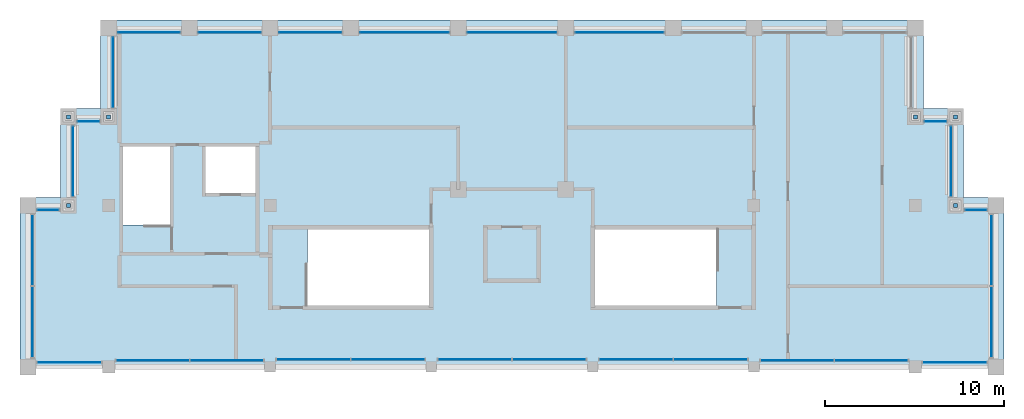
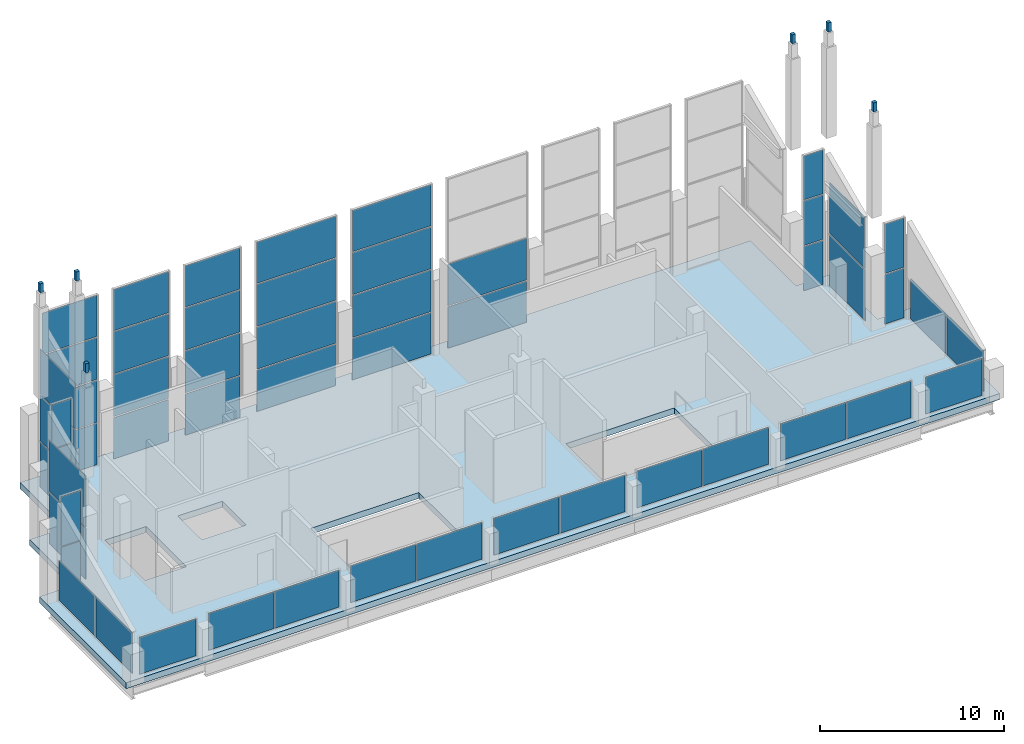
# One storey, part 6 of 9: 55 plates, 6 members, 1 slab, 22 elements without a shape of their own.
"""IFC4 building model written with IfcOpenShell, lengths in metres."""

from ifc_helpers import new_model, si_unit, direction, frame, origin, origin_2d, place, context, subcontext, project, spatial, polyline, rectangle, outline, extrude, material, layer, layer_set, material_profile, profile_set, type_object, element, aggregate, save


model = new_model("IFC4")

# Units and contexts
model_context = context("Model", 3, precision=1e-05, world=origin(), true_north=direction((0.0, 1.0)))
body_context = subcontext(model_context, "Body", "Model", "MODEL_VIEW")
ifc_project = project(units=[si_unit("LENGTHUNIT", "METRE"), si_unit("AREAUNIT", "SQUARE_METRE"), si_unit("VOLUMEUNIT", "CUBIC_METRE"), si_unit("PLANEANGLEUNIT", "RADIAN"), si_unit("MASSUNIT", "GRAM", prefix="KILO")], contexts=[model_context])

# Site, building, storey
site_placement = place(None, origin())
site = spatial("IfcSite", under=ifc_project, at=site_placement, CompositionType="ELEMENT")
building_placement = place(site_placement, origin())
building = spatial("IfcBuilding", under=site, at=building_placement, Name="Corbelhall Arena Tower", CompositionType="ELEMENT")
storey_placement = place(building_placement, frame((0.0, 0.0, 386.0)))
storey = spatial("IfcBuildingStorey", under=building, at=storey_placement, Name="L83", CompositionType="ELEMENT", Elevation=386.0)

# Members
ifc_material_1 = material(Name="Cast aluminium bronze finish", Category="aluminium")
ifc_material_profile = material_profile(ifc_material_1, rectangle(XDim=0.219970703125, YDim=0.219970703125, at=origin_2d()))
ifc_profile_set = profile_set([ifc_material_profile], Name="Cast aluminium bronze finish")
member_type = type_object("IfcMemberType", Name="EV-PN7 Pinnacle spire 220", PredefinedType="USERDEFINED", material=ifc_profile_set)
for number, where, z_axis, x_axis, name in (
    (1, (22.5, 22.949951171875, 16.593505859375), (0.0, 0.0, 1.0), (1.0, 0.0, 0.0), "Pinnacle spire"),
    (2, (24.75, 22.949951171875, 16.593505859375), (0.0, 0.0, 1.0), (1.0, 0.0, 0.0), "Pinnacle spire"),
    (3, (24.75, 18.0, 14.287109375), (0.0, 0.0, 1.0), (1.0, 0.0, 0.0), "Pinnacle spire"),
    (4, (-22.5, 22.949951171875, 16.593505859375), (0.0, 0.0, 1.0), (1.0, 0.0, 0.0), "Pinnacle spire"),
    (5, (-24.75, 22.949951171875, 16.593505859375), (0.0, 0.0, 1.0), (1.0, 0.0, 0.0), "Pinnacle spire"),
    (6, (-24.75, 18.0, 14.287109375), (0.0, 0.0, 1.0), (1.0, 0.0, 0.0), "Pinnacle spire"),
):
    element("IfcMember", number, at=place(storey_placement, frame(where, z_axis=z_axis, x_axis=x_axis)), inside=storey, type_object=member_type, Name=name, ObjectType="pinnacle spire", PredefinedType="USERDEFINED", context=body_context, shape_type="SweptSolid", body=[
        extrude(rectangle(XDim=0.219970703125, YDim=0.219970703125, at=origin_2d()), origin(), (0.0, 0.0, 1.0), 0.60009765625),
    ])

# Curtain wall, plates
ifc_material_2 = material(Name="Aluminium black anodised", Category="aluminium")
ifc_layer_1 = layer(ifc_material_2, 0.179931640625)
ifc_layer_set_1 = layer_set([ifc_layer_1], Name="EV-CW3 Crown glazing")
curtain_wall_type = type_object("IfcCurtainWallType", Name="EV-CW3 Crown glazing", PredefinedType="NOTDEFINED", material=ifc_layer_set_1)
curtain_wall_1_placement = place(storey_placement, origin())
curtain_wall_1 = element("IfcCurtainWall", 7, at=curtain_wall_1_placement, inside=storey, type_object=curtain_wall_type, Name="Curtain wall CW3G", PredefinedType="NOTDEFINED")
ifc_material_3 = material(Name="Glass dark tinted laminated", Category="glass")
ifc_layer_2 = layer(ifc_material_3, 0.028076171875)
ifc_layer_set_2 = layer_set([ifc_layer_2], Name="EV-CW3-PANEL")
plate_type = type_object("IfcPlateType", Name="EV-CW3-PANEL", PredefinedType="CURTAIN_PANEL", material=ifc_layer_set_2)
plate_1_placement = place(storey_placement, frame((-24.5, 20.47509765625, 0.074951171875), z_axis=(0.0, 0.0, 1.0), x_axis=(0.0, -1.0, 0.0)))
plate_1 = element("IfcPlate", 8, at=plate_1_placement, type_object=plate_type, Name="CW3G panel 1.1", PredefinedType="CURTAIN_PANEL", context=body_context, shape_type="SweptSolid", body=[
    extrude(rectangle(XDim=3.89990234375, YDim=0.028076171875, at=origin_2d()), origin(), (0.0, 0.0, 1.0), 3.3974609375),
])
plate_2_placement = place(storey_placement, frame((-24.5, 20.47509765625, 3.547607421875), z_axis=(0.0, 0.0, 1.0), x_axis=(0.0, -1.0, 0.0)))
plate_2 = element("IfcPlate", 9, at=plate_2_placement, type_object=plate_type, Name="CW3G panel 1.2", PredefinedType="CURTAIN_PANEL", context=body_context, shape_type="SweptSolid", body=[
    extrude(rectangle(XDim=3.89990234375, YDim=0.028076171875, at=origin_2d()), origin(), (0.0, 0.0, 1.0), 3.3974609375),
])
aggregate(curtain_wall_1, [plate_1, plate_2])

curtain_wall_2_placement = place(storey_placement, origin())
curtain_wall_2 = element("IfcCurtainWall", 10, at=curtain_wall_2_placement, inside=storey, type_object=curtain_wall_type, Name="Curtain wall CW3C", PredefinedType="NOTDEFINED")
plate_3_placement = place(storey_placement, frame((-25.875, 17.75, 0.0751953125), z_axis=(0.0, 0.0, 1.0), x_axis=(-1.0, 0.0, 0.0)))
plate_3 = element("IfcPlate", 11, at=plate_3_placement, type_object=plate_type, Name="CW3C panel 1.1", PredefinedType="CURTAIN_PANEL", context=body_context, shape_type="SweptSolid", body=[
    extrude(rectangle(XDim=1.199951171875, YDim=0.028076171875, at=origin_2d()), origin(), (0.0, 0.0, 1.0), 3.281005859375),
])
plate_4_placement = place(storey_placement, frame((-25.875, 17.75, 3.43115234375), z_axis=(0.0, 0.0, 1.0), x_axis=(-1.0, 0.0, 0.0)))
plate_4 = element("IfcPlate", 12, at=plate_4_placement, type_object=plate_type, Name="CW3C panel 1.2", PredefinedType="CURTAIN_PANEL", context=body_context, shape_type="SweptSolid", body=[
    extrude(rectangle(XDim=1.199951171875, YDim=0.028076171875, at=origin_2d()), origin(), (0.0, 0.0, 1.0), 3.281005859375),
])
aggregate(curtain_wall_2, [plate_3, plate_4])

curtain_wall_3_placement = place(storey_placement, origin())
curtain_wall_3 = element("IfcCurtainWall", 13, at=curtain_wall_3_placement, inside=storey, type_object=curtain_wall_type, Name="Curtain wall CW3F", PredefinedType="NOTDEFINED")
plate_5_placement = place(storey_placement, frame((-26.75, 15.50634765625, 0.0751953125), z_axis=(0.0, 0.0, 1.0), x_axis=(0.0, -1.0, 0.0)))
plate_5 = element("IfcPlate", 14, at=plate_5_placement, type_object=plate_type, Name="CW3F panel 1.1", PredefinedType="CURTAIN_PANEL", context=body_context, shape_type="SweptSolid", body=[
    extrude(rectangle(XDim=3.9375, YDim=0.028076171875, at=origin_2d()), origin(), (0.0, 0.0, 1.0), 2.676513671875),
])
plate_6_placement = place(storey_placement, frame((-26.75, 11.49365234375, 0.0751953125), z_axis=(0.0, 0.0, 1.0), x_axis=(0.0, -1.0, 0.0)))
plate_6 = element("IfcPlate", 15, at=plate_6_placement, type_object=plate_type, Name="CW3F panel 2.1", PredefinedType="CURTAIN_PANEL", context=body_context, shape_type="SweptSolid", body=[
    extrude(rectangle(XDim=3.9375, YDim=0.028076171875, at=origin_2d()), origin(), (0.0, 0.0, 1.0), 2.676513671875),
])
aggregate(curtain_wall_3, [plate_5, plate_6])

# Curtain wall, plate
curtain_wall_4_placement = place(storey_placement, origin())
curtain_wall_4 = element("IfcCurtainWall", 16, at=curtain_wall_4_placement, inside=storey, type_object=curtain_wall_type, Name="Curtain wall CW3E", PredefinedType="NOTDEFINED")
plate_7_placement = place(storey_placement, frame((-24.699951171875, 9.25, 0.0751953125), z_axis=(0.0, 0.0, 1.0), x_axis=(1.0, 0.0, 0.0)))
plate_7 = element("IfcPlate", 17, at=plate_7_placement, type_object=plate_type, Name="CW3E panel 1.1", PredefinedType="CURTAIN_PANEL", context=body_context, shape_type="SweptSolid", body=[
    extrude(rectangle(XDim=3.550048828125, YDim=0.028076171875, at=origin_2d()), origin(), (0.0, 0.0, 1.0), 2.443603515625),
])
aggregate(curtain_wall_4, [plate_7])

# Curtain wall, plates
curtain_wall_5_placement = place(storey_placement, origin())
curtain_wall_5 = element("IfcCurtainWall", 18, at=curtain_wall_5_placement, inside=storey, type_object=curtain_wall_type, Name="Curtain wall CW3I", PredefinedType="NOTDEFINED")
plate_8_placement = place(storey_placement, frame((-20.043701171875, 9.35009765625, 0.0751953125), z_axis=(0.0, 0.0, 1.0), x_axis=(1.0, 0.0, 0.0)))
plate_8 = element("IfcPlate", 19, at=plate_8_placement, type_object=plate_type, Name="CW3I panel 1.1", PredefinedType="CURTAIN_PANEL", context=body_context, shape_type="SweptSolid", body=[
    extrude(rectangle(XDim=4.0625, YDim=0.028076171875, at=origin_2d()), origin(), (0.0, 0.0, 1.0), 2.443603515625),
])
plate_9_placement = place(storey_placement, frame((-15.90625, 9.35009765625, 0.0751953125), z_axis=(0.0, 0.0, 1.0), x_axis=(1.0, 0.0, 0.0)))
plate_9 = element("IfcPlate", 20, at=plate_9_placement, type_object=plate_type, Name="CW3I panel 2.1", PredefinedType="CURTAIN_PANEL", context=body_context, shape_type="SweptSolid", body=[
    extrude(rectangle(XDim=4.0625, YDim=0.028076171875, at=origin_2d()), origin(), (0.0, 0.0, 1.0), 2.443603515625),
])
aggregate(curtain_wall_5, [plate_8, plate_9])

curtain_wall_6_placement = place(storey_placement, origin())
curtain_wall_6 = element("IfcCurtainWall", 21, at=curtain_wall_6_placement, inside=storey, type_object=curtain_wall_type, Name="Curtain wall CW3A", PredefinedType="NOTDEFINED")
plate_10_placement = place(storey_placement, frame((-11.081298828125, 9.39990234375, 0.0751953125), z_axis=(0.0, 0.0, 1.0), x_axis=(1.0, 0.0, 0.0)))
plate_10 = element("IfcPlate", 22, at=plate_10_placement, type_object=plate_type, Name="CW3A panel 1.1", PredefinedType="CURTAIN_PANEL", context=body_context, shape_type="SweptSolid", body=[
    extrude(rectangle(XDim=4.08740234375, YDim=0.028076171875, at=origin_2d()), origin(), (0.0, 0.0, 1.0), 2.443603515625),
])
plate_11_placement = place(storey_placement, frame((-6.918701171875, 9.39990234375, 0.0751953125), z_axis=(0.0, 0.0, 1.0), x_axis=(1.0, 0.0, 0.0)))
plate_11 = element("IfcPlate", 23, at=plate_11_placement, type_object=plate_type, Name="CW3A panel 2.1", PredefinedType="CURTAIN_PANEL", context=body_context, shape_type="SweptSolid", body=[
    extrude(rectangle(XDim=4.08740234375, YDim=0.028076171875, at=origin_2d()), origin(), (0.0, 0.0, 1.0), 2.443603515625),
])
aggregate(curtain_wall_6, [plate_10, plate_11])

curtain_wall_7_placement = place(storey_placement, origin())
curtain_wall_7 = element("IfcCurtainWall", 24, at=curtain_wall_7_placement, inside=storey, type_object=curtain_wall_type, Name="Curtain wall CW3A", PredefinedType="NOTDEFINED")
plate_12_placement = place(storey_placement, frame((-2.081298828125, 9.39990234375, 0.0751953125), z_axis=(0.0, 0.0, 1.0), x_axis=(1.0, 0.0, 0.0)))
plate_12 = element("IfcPlate", 25, at=plate_12_placement, type_object=plate_type, Name="CW3A panel 1.1", PredefinedType="CURTAIN_PANEL", context=body_context, shape_type="SweptSolid", body=[
    extrude(rectangle(XDim=4.08740234375, YDim=0.028076171875, at=origin_2d()), origin(), (0.0, 0.0, 1.0), 2.443603515625),
])
plate_13_placement = place(storey_placement, frame((2.081298828125, 9.39990234375, 0.0751953125), z_axis=(0.0, 0.0, 1.0), x_axis=(1.0, 0.0, 0.0)))
plate_13 = element("IfcPlate", 26, at=plate_13_placement, type_object=plate_type, Name="CW3A panel 2.1", PredefinedType="CURTAIN_PANEL", context=body_context, shape_type="SweptSolid", body=[
    extrude(rectangle(XDim=4.08740234375, YDim=0.028076171875, at=origin_2d()), origin(), (0.0, 0.0, 1.0), 2.443603515625),
])
aggregate(curtain_wall_7, [plate_12, plate_13])

curtain_wall_8_placement = place(storey_placement, origin())
curtain_wall_8 = element("IfcCurtainWall", 27, at=curtain_wall_8_placement, inside=storey, type_object=curtain_wall_type, Name="Curtain wall CW3A", PredefinedType="NOTDEFINED")
plate_14_placement = place(storey_placement, frame((6.918701171875, 9.39990234375, 0.0751953125), z_axis=(0.0, 0.0, 1.0), x_axis=(1.0, 0.0, 0.0)))
plate_14 = element("IfcPlate", 28, at=plate_14_placement, type_object=plate_type, Name="CW3A panel 1.1", PredefinedType="CURTAIN_PANEL", context=body_context, shape_type="SweptSolid", body=[
    extrude(rectangle(XDim=4.08740234375, YDim=0.028076171875, at=origin_2d()), origin(), (0.0, 0.0, 1.0), 2.443603515625),
])
plate_15_placement = place(storey_placement, frame((11.081298828125, 9.39990234375, 0.0751953125), z_axis=(0.0, 0.0, 1.0), x_axis=(1.0, 0.0, 0.0)))
plate_15 = element("IfcPlate", 29, at=plate_15_placement, type_object=plate_type, Name="CW3A panel 2.1", PredefinedType="CURTAIN_PANEL", context=body_context, shape_type="SweptSolid", body=[
    extrude(rectangle(XDim=4.08740234375, YDim=0.028076171875, at=origin_2d()), origin(), (0.0, 0.0, 1.0), 2.443603515625),
])
aggregate(curtain_wall_8, [plate_14, plate_15])

curtain_wall_9_placement = place(storey_placement, origin())
curtain_wall_9 = element("IfcCurtainWall", 30, at=curtain_wall_9_placement, inside=storey, type_object=curtain_wall_type, Name="Curtain wall CW3I", PredefinedType="NOTDEFINED")
plate_16_placement = place(storey_placement, frame((15.90625, 9.35009765625, 0.0751953125), z_axis=(0.0, 0.0, 1.0), x_axis=(1.0, 0.0, 0.0)))
plate_16 = element("IfcPlate", 31, at=plate_16_placement, type_object=plate_type, Name="CW3I panel 1.1", PredefinedType="CURTAIN_PANEL", context=body_context, shape_type="SweptSolid", body=[
    extrude(rectangle(XDim=4.0625, YDim=0.028076171875, at=origin_2d()), origin(), (0.0, 0.0, 1.0), 2.443603515625),
])
plate_17_placement = place(storey_placement, frame((20.043701171875, 9.35009765625, 0.0751953125), z_axis=(0.0, 0.0, 1.0), x_axis=(1.0, 0.0, 0.0)))
plate_17 = element("IfcPlate", 32, at=plate_17_placement, type_object=plate_type, Name="CW3I panel 2.1", PredefinedType="CURTAIN_PANEL", context=body_context, shape_type="SweptSolid", body=[
    extrude(rectangle(XDim=4.0625, YDim=0.028076171875, at=origin_2d()), origin(), (0.0, 0.0, 1.0), 2.443603515625),
])
aggregate(curtain_wall_9, [plate_16, plate_17])

# Curtain wall, plate
curtain_wall_10_placement = place(storey_placement, origin())
curtain_wall_10 = element("IfcCurtainWall", 33, at=curtain_wall_10_placement, inside=storey, type_object=curtain_wall_type, Name="Curtain wall CW3E", PredefinedType="NOTDEFINED")
plate_18_placement = place(storey_placement, frame((24.699951171875, 9.25, 0.0751953125), z_axis=(0.0, 0.0, 1.0), x_axis=(1.0, 0.0, 0.0)))
plate_18 = element("IfcPlate", 34, at=plate_18_placement, type_object=plate_type, Name="CW3E panel 1.1", PredefinedType="CURTAIN_PANEL", context=body_context, shape_type="SweptSolid", body=[
    extrude(rectangle(XDim=3.550048828125, YDim=0.028076171875, at=origin_2d()), origin(), (0.0, 0.0, 1.0), 2.443603515625),
])
aggregate(curtain_wall_10, [plate_18])

# Curtain wall, plates
curtain_wall_11_placement = place(storey_placement, origin())
curtain_wall_11 = element("IfcCurtainWall", 35, at=curtain_wall_11_placement, inside=storey, type_object=curtain_wall_type, Name="Curtain wall CW3F", PredefinedType="NOTDEFINED")
plate_19_placement = place(storey_placement, frame((26.75, 11.49365234375, 0.0751953125), z_axis=(0.0, 0.0, 1.0), x_axis=(0.0, 1.0, 0.0)))
plate_19 = element("IfcPlate", 36, at=plate_19_placement, type_object=plate_type, Name="CW3F panel 1.1", PredefinedType="CURTAIN_PANEL", context=body_context, shape_type="SweptSolid", body=[
    extrude(rectangle(XDim=3.9375, YDim=0.028076171875, at=origin_2d()), origin(), (0.0, 0.0, 1.0), 2.676513671875),
])
plate_20_placement = place(storey_placement, frame((26.75, 15.50634765625, 0.0751953125), z_axis=(0.0, 0.0, 1.0), x_axis=(0.0, 1.0, 0.0)))
plate_20 = element("IfcPlate", 37, at=plate_20_placement, type_object=plate_type, Name="CW3F panel 2.1", PredefinedType="CURTAIN_PANEL", context=body_context, shape_type="SweptSolid", body=[
    extrude(rectangle(XDim=3.9375, YDim=0.028076171875, at=origin_2d()), origin(), (0.0, 0.0, 1.0), 2.676513671875),
])
aggregate(curtain_wall_11, [plate_19, plate_20])

curtain_wall_12_placement = place(storey_placement, origin())
curtain_wall_12 = element("IfcCurtainWall", 38, at=curtain_wall_12_placement, inside=storey, type_object=curtain_wall_type, Name="Curtain wall CW3C", PredefinedType="NOTDEFINED")
plate_21_placement = place(storey_placement, frame((25.875, 17.75, 0.0751953125), z_axis=(0.0, 0.0, 1.0), x_axis=(-1.0, 0.0, 0.0)))
plate_21 = element("IfcPlate", 39, at=plate_21_placement, type_object=plate_type, Name="CW3C panel 1.1", PredefinedType="CURTAIN_PANEL", context=body_context, shape_type="SweptSolid", body=[
    extrude(rectangle(XDim=1.199951171875, YDim=0.028076171875, at=origin_2d()), origin(), (0.0, 0.0, 1.0), 3.281005859375),
])
plate_22_placement = place(storey_placement, frame((25.875, 17.75, 3.43115234375), z_axis=(0.0, 0.0, 1.0), x_axis=(-1.0, 0.0, 0.0)))
plate_22 = element("IfcPlate", 40, at=plate_22_placement, type_object=plate_type, Name="CW3C panel 1.2", PredefinedType="CURTAIN_PANEL", context=body_context, shape_type="SweptSolid", body=[
    extrude(rectangle(XDim=1.199951171875, YDim=0.028076171875, at=origin_2d()), origin(), (0.0, 0.0, 1.0), 3.281005859375),
])
aggregate(curtain_wall_12, [plate_21, plate_22])

curtain_wall_13_placement = place(storey_placement, origin())
curtain_wall_13 = element("IfcCurtainWall", 41, at=curtain_wall_13_placement, inside=storey, type_object=curtain_wall_type, Name="Curtain wall CW3G", PredefinedType="NOTDEFINED")
plate_23_placement = place(storey_placement, frame((24.5, 20.47509765625, 0.074951171875), z_axis=(0.0, 0.0, 1.0), x_axis=(0.0, 1.0, 0.0)))
plate_23 = element("IfcPlate", 42, at=plate_23_placement, type_object=plate_type, Name="CW3G panel 1.1", PredefinedType="CURTAIN_PANEL", context=body_context, shape_type="SweptSolid", body=[
    extrude(rectangle(XDim=3.89990234375, YDim=0.028076171875, at=origin_2d()), origin(), (0.0, 0.0, 1.0), 3.3974609375),
])
plate_24_placement = place(storey_placement, frame((24.5, 20.47509765625, 3.547607421875), z_axis=(0.0, 0.0, 1.0), x_axis=(0.0, 1.0, 0.0)))
plate_24 = element("IfcPlate", 43, at=plate_24_placement, type_object=plate_type, Name="CW3G panel 1.2", PredefinedType="CURTAIN_PANEL", context=body_context, shape_type="SweptSolid", body=[
    extrude(rectangle(XDim=3.89990234375, YDim=0.028076171875, at=origin_2d()), origin(), (0.0, 0.0, 1.0), 3.3974609375),
])
aggregate(curtain_wall_13, [plate_23, plate_24])

curtain_wall_14_placement = place(storey_placement, origin())
curtain_wall_14 = element("IfcCurtainWall", 44, at=curtain_wall_14_placement, inside=storey, type_object=curtain_wall_type, Name="Curtain wall CW3D", PredefinedType="NOTDEFINED")
plate_25_placement = place(storey_placement, frame((23.625, 22.699951171875, 0.0751953125), z_axis=(0.0, 0.0, 1.0), x_axis=(-1.0, 0.0, 0.0)))
plate_25 = element("IfcPlate", 45, at=plate_25_placement, type_object=plate_type, Name="CW3D panel 1.1", PredefinedType="CURTAIN_PANEL", context=body_context, shape_type="SweptSolid", body=[
    extrude(rectangle(XDim=1.199951171875, YDim=0.028076171875, at=origin_2d()), origin(), (0.0, 0.0, 1.0), 2.918701171875),
])
plate_26_placement = place(storey_placement, frame((23.625, 22.699951171875, 3.06884765625), z_axis=(0.0, 0.0, 1.0), x_axis=(-1.0, 0.0, 0.0)))
plate_26 = element("IfcPlate", 46, at=plate_26_placement, type_object=plate_type, Name="CW3D panel 1.2", PredefinedType="CURTAIN_PANEL", context=body_context, shape_type="SweptSolid", body=[
    extrude(rectangle(XDim=1.199951171875, YDim=0.028076171875, at=origin_2d()), origin(), (0.0, 0.0, 1.0), 2.956298828125),
])
plate_27_placement = place(storey_placement, frame((23.625, 22.699951171875, 6.10009765625), z_axis=(0.0, 0.0, 1.0), x_axis=(-1.0, 0.0, 0.0)))
plate_27 = element("IfcPlate", 47, at=plate_27_placement, type_object=plate_type, Name="CW3D panel 1.3", PredefinedType="CURTAIN_PANEL", context=body_context, shape_type="SweptSolid", body=[
    extrude(rectangle(XDim=1.199951171875, YDim=0.028076171875, at=origin_2d()), origin(), (0.0, 0.0, 1.0), 2.918701171875),
])
aggregate(curtain_wall_14, [plate_25, plate_26, plate_27])

curtain_wall_15_placement = place(storey_placement, origin())
curtain_wall_15 = element("IfcCurtainWall", 48, at=curtain_wall_15_placement, inside=storey, type_object=curtain_wall_type, Name="Curtain wall CW3B", PredefinedType="NOTDEFINED")
plate_28_placement = place(storey_placement, frame((6.0, 27.64990234375, 0.0751953125), z_axis=(0.0, 0.0, 1.0), x_axis=(-1.0, 0.0, 0.0)))
plate_28 = element("IfcPlate", 49, at=plate_28_placement, type_object=plate_type, Name="CW3B panel 1.1", PredefinedType="CURTAIN_PANEL", context=body_context, shape_type="SweptSolid", body=[
    extrude(rectangle(XDim=4.949951171875, YDim=0.028076171875, at=origin_2d()), origin(), (0.0, 0.0, 1.0), 2.737548828125),
])
plate_29_placement = place(storey_placement, frame((6.0, 27.64990234375, 2.887451171875), z_axis=(0.0, 0.0, 1.0), x_axis=(-1.0, 0.0, 0.0)))
plate_29 = element("IfcPlate", 50, at=plate_29_placement, type_object=plate_type, Name="CW3B panel 1.2", PredefinedType="CURTAIN_PANEL", context=body_context, shape_type="SweptSolid", body=[
    extrude(rectangle(XDim=4.949951171875, YDim=0.028076171875, at=origin_2d()), origin(), (0.0, 0.0, 1.0), 2.77490234375),
])
aggregate(curtain_wall_15, [plate_28, plate_29])

curtain_wall_16_placement = place(storey_placement, origin())
curtain_wall_16 = element("IfcCurtainWall", 51, at=curtain_wall_16_placement, inside=storey, type_object=curtain_wall_type, Name="Curtain wall CW3B", PredefinedType="NOTDEFINED")
plate_30_placement = place(storey_placement, frame((0.0, 27.64990234375, 0.0751953125), z_axis=(0.0, 0.0, 1.0), x_axis=(-1.0, 0.0, 0.0)))
plate_30 = element("IfcPlate", 52, at=plate_30_placement, type_object=plate_type, Name="CW3B panel 1.1", PredefinedType="CURTAIN_PANEL", context=body_context, shape_type="SweptSolid", body=[
    extrude(rectangle(XDim=4.949951171875, YDim=0.028076171875, at=origin_2d()), origin(), (0.0, 0.0, 1.0), 2.737548828125),
])
plate_31_placement = place(storey_placement, frame((0.0, 27.64990234375, 2.887451171875), z_axis=(0.0, 0.0, 1.0), x_axis=(-1.0, 0.0, 0.0)))
plate_31 = element("IfcPlate", 53, at=plate_31_placement, type_object=plate_type, Name="CW3B panel 1.2", PredefinedType="CURTAIN_PANEL", context=body_context, shape_type="SweptSolid", body=[
    extrude(rectangle(XDim=4.949951171875, YDim=0.028076171875, at=origin_2d()), origin(), (0.0, 0.0, 1.0), 2.77490234375),
])
plate_32_placement = place(storey_placement, frame((0.0, 27.64990234375, 5.737548828125), z_axis=(0.0, 0.0, 1.0), x_axis=(-1.0, 0.0, 0.0)))
plate_32 = element("IfcPlate", 54, at=plate_32_placement, type_object=plate_type, Name="CW3B panel 1.3", PredefinedType="CURTAIN_PANEL", context=body_context, shape_type="SweptSolid", body=[
    extrude(rectangle(XDim=4.949951171875, YDim=0.028076171875, at=origin_2d()), origin(), (0.0, 0.0, 1.0), 2.77490234375),
])
plate_33_placement = place(storey_placement, frame((0.0, 27.64990234375, 8.58740234375), z_axis=(0.0, 0.0, 1.0), x_axis=(-1.0, 0.0, 0.0)))
plate_33 = element("IfcPlate", 55, at=plate_33_placement, type_object=plate_type, Name="CW3B panel 1.4", PredefinedType="CURTAIN_PANEL", context=body_context, shape_type="SweptSolid", body=[
    extrude(rectangle(XDim=4.949951171875, YDim=0.028076171875, at=origin_2d()), origin(), (0.0, 0.0, 1.0), 2.737548828125),
])
aggregate(curtain_wall_16, [plate_30, plate_31, plate_32, plate_33])

curtain_wall_17_placement = place(storey_placement, origin())
curtain_wall_17 = element("IfcCurtainWall", 56, at=curtain_wall_17_placement, inside=storey, type_object=curtain_wall_type, Name="Curtain wall CW3B", PredefinedType="NOTDEFINED")
plate_34_placement = place(storey_placement, frame((-6.0, 27.64990234375, 0.0751953125), z_axis=(0.0, 0.0, 1.0), x_axis=(-1.0, 0.0, 0.0)))
plate_34 = element("IfcPlate", 57, at=plate_34_placement, type_object=plate_type, Name="CW3B panel 1.1", PredefinedType="CURTAIN_PANEL", context=body_context, shape_type="SweptSolid", body=[
    extrude(rectangle(XDim=4.949951171875, YDim=0.028076171875, at=origin_2d()), origin(), (0.0, 0.0, 1.0), 2.737548828125),
])
plate_35_placement = place(storey_placement, frame((-6.0, 27.64990234375, 2.887451171875), z_axis=(0.0, 0.0, 1.0), x_axis=(-1.0, 0.0, 0.0)))
plate_35 = element("IfcPlate", 58, at=plate_35_placement, type_object=plate_type, Name="CW3B panel 1.2", PredefinedType="CURTAIN_PANEL", context=body_context, shape_type="SweptSolid", body=[
    extrude(rectangle(XDim=4.949951171875, YDim=0.028076171875, at=origin_2d()), origin(), (0.0, 0.0, 1.0), 2.77490234375),
])
plate_36_placement = place(storey_placement, frame((-6.0, 27.64990234375, 5.737548828125), z_axis=(0.0, 0.0, 1.0), x_axis=(-1.0, 0.0, 0.0)))
plate_36 = element("IfcPlate", 59, at=plate_36_placement, type_object=plate_type, Name="CW3B panel 1.3", PredefinedType="CURTAIN_PANEL", context=body_context, shape_type="SweptSolid", body=[
    extrude(rectangle(XDim=4.949951171875, YDim=0.028076171875, at=origin_2d()), origin(), (0.0, 0.0, 1.0), 2.77490234375),
])
plate_37_placement = place(storey_placement, frame((-6.0, 27.64990234375, 8.58740234375), z_axis=(0.0, 0.0, 1.0), x_axis=(-1.0, 0.0, 0.0)))
plate_37 = element("IfcPlate", 60, at=plate_37_placement, type_object=plate_type, Name="CW3B panel 1.4", PredefinedType="CURTAIN_PANEL", context=body_context, shape_type="SweptSolid", body=[
    extrude(rectangle(XDim=4.949951171875, YDim=0.028076171875, at=origin_2d()), origin(), (0.0, 0.0, 1.0), 2.737548828125),
])
aggregate(curtain_wall_17, [plate_34, plate_35, plate_36, plate_37])

curtain_wall_18_placement = place(storey_placement, origin())
curtain_wall_18 = element("IfcCurtainWall", 61, at=curtain_wall_18_placement, inside=storey, type_object=curtain_wall_type, Name="Curtain wall CW3", PredefinedType="NOTDEFINED")
plate_38_placement = place(storey_placement, frame((-11.25, 27.64990234375, 0.0751953125), z_axis=(0.0, 0.0, 1.0), x_axis=(-1.0, 0.0, 0.0)))
plate_38 = element("IfcPlate", 62, at=plate_38_placement, type_object=plate_type, Name="CW3 panel 1.1", PredefinedType="CURTAIN_PANEL", context=body_context, shape_type="SweptSolid", body=[
    extrude(rectangle(XDim=3.449951171875, YDim=0.028076171875, at=origin_2d()), origin(), (0.0, 0.0, 1.0), 2.737548828125),
])
plate_39_placement = place(storey_placement, frame((-11.25, 27.64990234375, 2.887451171875), z_axis=(0.0, 0.0, 1.0), x_axis=(-1.0, 0.0, 0.0)))
plate_39 = element("IfcPlate", 63, at=plate_39_placement, type_object=plate_type, Name="CW3 panel 1.2", PredefinedType="CURTAIN_PANEL", context=body_context, shape_type="SweptSolid", body=[
    extrude(rectangle(XDim=3.449951171875, YDim=0.028076171875, at=origin_2d()), origin(), (0.0, 0.0, 1.0), 2.77490234375),
])
plate_40_placement = place(storey_placement, frame((-11.25, 27.64990234375, 5.737548828125), z_axis=(0.0, 0.0, 1.0), x_axis=(-1.0, 0.0, 0.0)))
plate_40 = element("IfcPlate", 64, at=plate_40_placement, type_object=plate_type, Name="CW3 panel 1.3", PredefinedType="CURTAIN_PANEL", context=body_context, shape_type="SweptSolid", body=[
    extrude(rectangle(XDim=3.449951171875, YDim=0.028076171875, at=origin_2d()), origin(), (0.0, 0.0, 1.0), 2.77490234375),
])
plate_41_placement = place(storey_placement, frame((-11.25, 27.64990234375, 8.58740234375), z_axis=(0.0, 0.0, 1.0), x_axis=(-1.0, 0.0, 0.0)))
plate_41 = element("IfcPlate", 65, at=plate_41_placement, type_object=plate_type, Name="CW3 panel 1.4", PredefinedType="CURTAIN_PANEL", context=body_context, shape_type="SweptSolid", body=[
    extrude(rectangle(XDim=3.449951171875, YDim=0.028076171875, at=origin_2d()), origin(), (0.0, 0.0, 1.0), 2.737548828125),
])
aggregate(curtain_wall_18, [plate_38, plate_39, plate_40, plate_41])

curtain_wall_19_placement = place(storey_placement, origin())
curtain_wall_19 = element("IfcCurtainWall", 66, at=curtain_wall_19_placement, inside=storey, type_object=curtain_wall_type, Name="Curtain wall CW3", PredefinedType="NOTDEFINED")
plate_42_placement = place(storey_placement, frame((-15.75, 27.64990234375, 0.0751953125), z_axis=(0.0, 0.0, 1.0), x_axis=(-1.0, 0.0, 0.0)))
plate_42 = element("IfcPlate", 67, at=plate_42_placement, type_object=plate_type, Name="CW3 panel 1.1", PredefinedType="CURTAIN_PANEL", context=body_context, shape_type="SweptSolid", body=[
    extrude(rectangle(XDim=3.449951171875, YDim=0.028076171875, at=origin_2d()), origin(), (0.0, 0.0, 1.0), 2.737548828125),
])
plate_43_placement = place(storey_placement, frame((-15.75, 27.64990234375, 2.887451171875), z_axis=(0.0, 0.0, 1.0), x_axis=(-1.0, 0.0, 0.0)))
plate_43 = element("IfcPlate", 68, at=plate_43_placement, type_object=plate_type, Name="CW3 panel 1.2", PredefinedType="CURTAIN_PANEL", context=body_context, shape_type="SweptSolid", body=[
    extrude(rectangle(XDim=3.449951171875, YDim=0.028076171875, at=origin_2d()), origin(), (0.0, 0.0, 1.0), 2.77490234375),
])
plate_44_placement = place(storey_placement, frame((-15.75, 27.64990234375, 5.737548828125), z_axis=(0.0, 0.0, 1.0), x_axis=(-1.0, 0.0, 0.0)))
plate_44 = element("IfcPlate", 69, at=plate_44_placement, type_object=plate_type, Name="CW3 panel 1.3", PredefinedType="CURTAIN_PANEL", context=body_context, shape_type="SweptSolid", body=[
    extrude(rectangle(XDim=3.449951171875, YDim=0.028076171875, at=origin_2d()), origin(), (0.0, 0.0, 1.0), 2.77490234375),
])
plate_45_placement = place(storey_placement, frame((-15.75, 27.64990234375, 8.58740234375), z_axis=(0.0, 0.0, 1.0), x_axis=(-1.0, 0.0, 0.0)))
plate_45 = element("IfcPlate", 70, at=plate_45_placement, type_object=plate_type, Name="CW3 panel 1.4", PredefinedType="CURTAIN_PANEL", context=body_context, shape_type="SweptSolid", body=[
    extrude(rectangle(XDim=3.449951171875, YDim=0.028076171875, at=origin_2d()), origin(), (0.0, 0.0, 1.0), 2.737548828125),
])
aggregate(curtain_wall_19, [plate_42, plate_43, plate_44, plate_45])

curtain_wall_20_placement = place(storey_placement, origin())
curtain_wall_20 = element("IfcCurtainWall", 71, at=curtain_wall_20_placement, inside=storey, type_object=curtain_wall_type, Name="Curtain wall CW3", PredefinedType="NOTDEFINED")
plate_46_placement = place(storey_placement, frame((-20.25, 27.64990234375, 0.0751953125), z_axis=(0.0, 0.0, 1.0), x_axis=(-1.0, 0.0, 0.0)))
plate_46 = element("IfcPlate", 72, at=plate_46_placement, type_object=plate_type, Name="CW3 panel 1.1", PredefinedType="CURTAIN_PANEL", context=body_context, shape_type="SweptSolid", body=[
    extrude(rectangle(XDim=3.449951171875, YDim=0.028076171875, at=origin_2d()), origin(), (0.0, 0.0, 1.0), 2.737548828125),
])
plate_47_placement = place(storey_placement, frame((-20.25, 27.64990234375, 2.887451171875), z_axis=(0.0, 0.0, 1.0), x_axis=(-1.0, 0.0, 0.0)))
plate_47 = element("IfcPlate", 73, at=plate_47_placement, type_object=plate_type, Name="CW3 panel 1.2", PredefinedType="CURTAIN_PANEL", context=body_context, shape_type="SweptSolid", body=[
    extrude(rectangle(XDim=3.449951171875, YDim=0.028076171875, at=origin_2d()), origin(), (0.0, 0.0, 1.0), 2.77490234375),
])
plate_48_placement = place(storey_placement, frame((-20.25, 27.64990234375, 5.737548828125), z_axis=(0.0, 0.0, 1.0), x_axis=(-1.0, 0.0, 0.0)))
plate_48 = element("IfcPlate", 74, at=plate_48_placement, type_object=plate_type, Name="CW3 panel 1.3", PredefinedType="CURTAIN_PANEL", context=body_context, shape_type="SweptSolid", body=[
    extrude(rectangle(XDim=3.449951171875, YDim=0.028076171875, at=origin_2d()), origin(), (0.0, 0.0, 1.0), 2.77490234375),
])
plate_49_placement = place(storey_placement, frame((-20.25, 27.64990234375, 8.58740234375), z_axis=(0.0, 0.0, 1.0), x_axis=(-1.0, 0.0, 0.0)))
plate_49 = element("IfcPlate", 75, at=plate_49_placement, type_object=plate_type, Name="CW3 panel 1.4", PredefinedType="CURTAIN_PANEL", context=body_context, shape_type="SweptSolid", body=[
    extrude(rectangle(XDim=3.449951171875, YDim=0.028076171875, at=origin_2d()), origin(), (0.0, 0.0, 1.0), 2.737548828125),
])
aggregate(curtain_wall_20, [plate_46, plate_47, plate_48, plate_49])

curtain_wall_21_placement = place(storey_placement, origin())
curtain_wall_21 = element("IfcCurtainWall", 76, at=curtain_wall_21_placement, inside=storey, type_object=curtain_wall_type, Name="Curtain wall CW3H", PredefinedType="NOTDEFINED")
plate_50_placement = place(storey_placement, frame((-22.25, 25.425048828125, 0.0751953125), z_axis=(0.0, 0.0, 1.0), x_axis=(0.0, -1.0, 0.0)))
plate_50 = element("IfcPlate", 77, at=plate_50_placement, type_object=plate_type, Name="CW3H panel 1.1", PredefinedType="CURTAIN_PANEL", context=body_context, shape_type="SweptSolid", body=[
    extrude(rectangle(XDim=3.89990234375, YDim=0.028076171875, at=origin_2d()), origin(), (0.0, 0.0, 1.0), 2.996337890625),
])
plate_51_placement = place(storey_placement, frame((-22.25, 25.425048828125, 3.146484375), z_axis=(0.0, 0.0, 1.0), x_axis=(0.0, -1.0, 0.0)))
plate_51 = element("IfcPlate", 78, at=plate_51_placement, type_object=plate_type, Name="CW3H panel 1.2", PredefinedType="CURTAIN_PANEL", context=body_context, shape_type="SweptSolid", body=[
    extrude(rectangle(XDim=3.89990234375, YDim=0.028076171875, at=origin_2d()), origin(), (0.0, 0.0, 1.0), 3.033935546875),
])
plate_52_placement = place(storey_placement, frame((-22.25, 25.425048828125, 6.25537109375), z_axis=(0.0, 0.0, 1.0), x_axis=(0.0, -1.0, 0.0)))
plate_52 = element("IfcPlate", 79, at=plate_52_placement, type_object=plate_type, Name="CW3H panel 1.3", PredefinedType="CURTAIN_PANEL", context=body_context, shape_type="SweptSolid", body=[
    extrude(rectangle(XDim=3.89990234375, YDim=0.028076171875, at=origin_2d()), origin(), (0.0, 0.0, 1.0), 2.996337890625),
])
aggregate(curtain_wall_21, [plate_50, plate_51, plate_52])

curtain_wall_22_placement = place(storey_placement, origin())
curtain_wall_22 = element("IfcCurtainWall", 80, at=curtain_wall_22_placement, inside=storey, type_object=curtain_wall_type, Name="Curtain wall CW3D", PredefinedType="NOTDEFINED")
plate_53_placement = place(storey_placement, frame((-23.625, 22.699951171875, 0.0751953125), z_axis=(0.0, 0.0, 1.0), x_axis=(-1.0, 0.0, 0.0)))
plate_53 = element("IfcPlate", 81, at=plate_53_placement, type_object=plate_type, Name="CW3D panel 1.1", PredefinedType="CURTAIN_PANEL", context=body_context, shape_type="SweptSolid", body=[
    extrude(rectangle(XDim=1.199951171875, YDim=0.028076171875, at=origin_2d()), origin(), (0.0, 0.0, 1.0), 2.918701171875),
])
plate_54_placement = place(storey_placement, frame((-23.625, 22.699951171875, 3.06884765625), z_axis=(0.0, 0.0, 1.0), x_axis=(-1.0, 0.0, 0.0)))
plate_54 = element("IfcPlate", 82, at=plate_54_placement, type_object=plate_type, Name="CW3D panel 1.2", PredefinedType="CURTAIN_PANEL", context=body_context, shape_type="SweptSolid", body=[
    extrude(rectangle(XDim=1.199951171875, YDim=0.028076171875, at=origin_2d()), origin(), (0.0, 0.0, 1.0), 2.956298828125),
])
plate_55_placement = place(storey_placement, frame((-23.625, 22.699951171875, 6.10009765625), z_axis=(0.0, 0.0, 1.0), x_axis=(-1.0, 0.0, 0.0)))
plate_55 = element("IfcPlate", 83, at=plate_55_placement, type_object=plate_type, Name="CW3D panel 1.3", PredefinedType="CURTAIN_PANEL", context=body_context, shape_type="SweptSolid", body=[
    extrude(rectangle(XDim=1.199951171875, YDim=0.028076171875, at=origin_2d()), origin(), (0.0, 0.0, 1.0), 2.918701171875),
])
aggregate(curtain_wall_22, [plate_53, plate_54, plate_55])

# Slab
ifc_material_4 = material(Name="Concrete C40/50", Category="concrete")
ifc_layer_3 = layer(ifc_material_4, 0.400390625)
ifc_layer_set_3 = layer_set([ifc_layer_3], Name="ST-SLAB-FLOOR-400")
slab_type = type_object("IfcSlabType", Name="ST-SLAB-FLOOR-400", PredefinedType="FLOOR", material=ifc_layer_set_3)
slab_placement = place(storey_placement, frame((0.0, 0.0, -0.400390625)))
element("IfcSlab", 84, at=slab_placement, inside=storey, type_object=slab_type, Name="Floor slab L83 1", PredefinedType="FLOOR", context=body_context, shape_type="SweptSolid", body=[
    extrude(outline(polyline([(22.949951171875, 23.39990234375), (22.949951171875, 28.35009765625), (-22.949951171875, 28.35009765625), (-22.949951171875, 23.39990234375), (-25.199951171875, 23.39990234375), (-25.199951171875, 18.449951171875), (-27.449951171875, 18.449951171875), (-27.449951171875, 9.0), (27.449951171875, 9.0), (27.449951171875, 18.449951171875), (25.199951171875, 18.449951171875), (25.199951171875, 23.39990234375), (22.949951171875, 23.39990234375)]), holes=[polyline([(-11.422119140625, 12.425048828125), (-4.625, 12.425048828125), (-4.625, 16.675048828125), (-11.422119140625, 16.675048828125), (-11.422119140625, 12.425048828125)]), polyline([(11.422119140625, 12.425048828125), (11.422119140625, 16.675048828125), (4.625, 16.675048828125), (4.625, 12.425048828125), (11.422119140625, 12.425048828125)]), polyline([(-21.695068359375, 21.300048828125), (-21.695068359375, 16.903076171875), (-19.094970703125, 16.903076171875), (-19.094970703125, 21.300048828125), (-21.695068359375, 21.300048828125)]), polyline([(-14.300048828125, 21.300048828125), (-17.10009765625, 21.300048828125), (-17.10009765625, 18.699951171875), (-14.300048828125, 18.699951171875), (-14.300048828125, 21.300048828125)])]), origin(), (0.0, 0.0, 1.0), 0.400390625),
])

save(model, "model.ifc")
